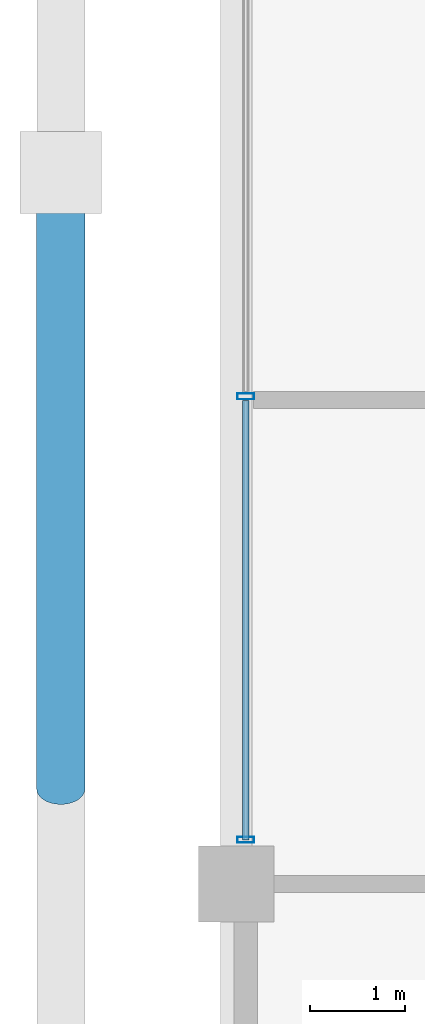
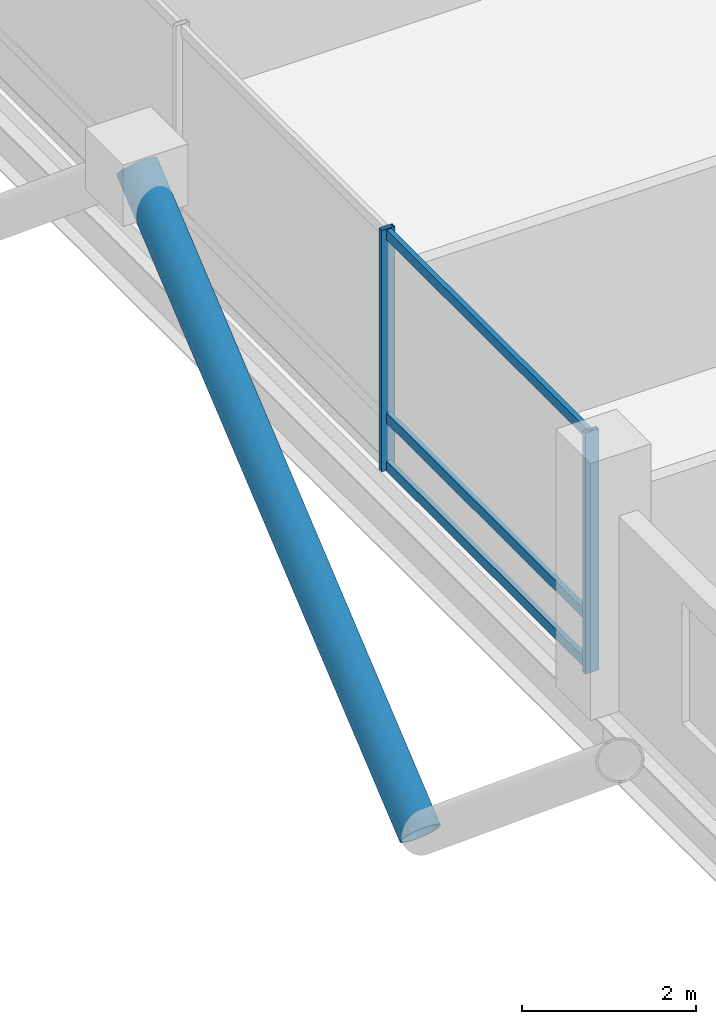
# One storey, part 4 of 22: 6 members, 1 element without a shape of its own.
"""IFC4 building model written with IfcOpenShell, lengths in metres."""

from ifc_helpers import new_model, si_unit, direction, frame, origin, origin_2d, place, context, subcontext, project, spatial, hollow_rectangle, hollow_circle, extrude, material, layer, layer_set, material_profile, profile_set, type_object, element, aggregate, save


model = new_model("IFC4")

# Units and contexts
model_context = context("Model", 3, precision=1e-05, world=origin(), true_north=direction((0.0, 1.0)))
body_context = subcontext(model_context, "Body", "Model", "MODEL_VIEW")
ifc_project = project(units=[si_unit("LENGTHUNIT", "METRE"), si_unit("AREAUNIT", "SQUARE_METRE"), si_unit("VOLUMEUNIT", "CUBIC_METRE"), si_unit("PLANEANGLEUNIT", "RADIAN"), si_unit("MASSUNIT", "GRAM", prefix="KILO")], contexts=[model_context])

# Site, building, storey
site_placement = place(None, origin())
site = spatial("IfcSite", under=ifc_project, at=site_placement, CompositionType="ELEMENT")
building_placement = place(site_placement, origin())
building = spatial("IfcBuilding", under=site, at=building_placement, Name="Barlavira Tower and Art Museum", CompositionType="ELEMENT")
storey_placement = place(building_placement, frame((0.0, 0.0, 106.199951171875)))
storey = spatial("IfcBuildingStorey", under=building, at=storey_placement, Name="L26", CompositionType="ELEMENT", Elevation=106.199951171875)

# Curtain wall, members
ifc_material_1 = material(Name="Low-iron coastal laminated glass", Category="glass")
ifc_layer = layer(ifc_material_1, 0.18994140625, Name="Low-iron coastal laminated glass")
ifc_layer_set = layer_set([ifc_layer], Name="Low-iron coastal laminated glass")
curtain_wall_type = type_object("IfcCurtainWallType", Name="Pale-Metal Unitised Curtain Wall Zone 2", PredefinedType="NOTDEFINED", material=ifc_layer_set)
curtain_wall_placement = place(storey_placement, origin())
curtain_wall = element("IfcCurtainWall", 1, at=curtain_wall_placement, inside=storey, type_object=curtain_wall_type, Name="L26 Curtain Wall CW2-L26-W-B3", PredefinedType="NOTDEFINED")
ifc_material_2 = material(Name="Pale anodised aluminium", Category="aluminium")
ifc_material_profile_1 = material_profile(ifc_material_2, hollow_rectangle(XDim=0.06494140625, YDim=0.179931640625, WallThickness=0.00390625, at=origin_2d()), Name="ALU-MULL 65x180x4")
ifc_profile_set_1 = profile_set([ifc_material_profile_1], Name="Pale anodised aluminium")
member_type_1 = type_object("IfcMemberType", Name="Curtain Wall Pale-Metal Mullion 65x180", PredefinedType="MULLION", material=ifc_profile_set_1)
member_1_placement = place(storey_placement, frame((-20.14990234375, -2.360107421875, 0.0), z_axis=(0.0, 0.0, 1.0), x_axis=(0.0, -1.0, 0.0)))
member_1 = element("IfcMember", 2, at=member_1_placement, type_object=member_type_1, Name="CW2-L26-W-B3 Mullion 2", PredefinedType="MULLION", context=body_context, shape_type="SweptSolid", body=[
    extrude(hollow_rectangle(XDim=0.06494140625, YDim=0.179931640625, WallThickness=0.00390625, at=origin_2d()), origin(), (0.0, 0.0, 1.0), 3.380126953125),
])
member_2_placement = place(storey_placement, frame((-20.14990234375, -7.034912109375, 0.0), z_axis=(0.0, 0.0, 1.0), x_axis=(0.0, -1.0, 0.0)))
member_2 = element("IfcMember", 3, at=member_2_placement, type_object=member_type_1, Name="CW2-L26-W-B3 Mullion 3", PredefinedType="MULLION", context=body_context, shape_type="SweptSolid", body=[
    extrude(hollow_rectangle(XDim=0.06494140625, YDim=0.179931640625, WallThickness=0.00390625, at=origin_2d()), origin(), (0.0, 0.0, 1.0), 3.380126953125),
])
ifc_material_profile_2 = material_profile(ifc_material_2, hollow_rectangle(XDim=0.06494140625, YDim=0.139892578125, WallThickness=0.00390625, at=origin_2d()), Name="ALU-TRAN 65x140x4")
ifc_profile_set_2 = profile_set([ifc_material_profile_2], Name="Pale anodised aluminium")
member_type_2 = type_object("IfcMemberType", Name="Curtain Wall Pale-Metal Transom 65x140", PredefinedType="USERDEFINED", material=ifc_profile_set_2)
member_3_placement = place(storey_placement, frame((-20.14990234375, -2.405029296875, 0.070068359375), z_axis=(0.0, -1.0, 0.0), x_axis=(1.0, 0.0, 0.0)))
member_3 = element("IfcMember", 4, at=member_3_placement, type_object=member_type_2, Name="CW2-L26-W-B3 Transom 2.1", ObjectType="TRANSOM", PredefinedType="USERDEFINED", context=body_context, shape_type="SweptSolid", body=[
    extrude(hollow_rectangle(XDim=0.06494140625, YDim=0.139892578125, WallThickness=0.00390625, at=origin_2d()), origin(), (0.0, 0.0, 1.0), 4.6298828125),
])
member_4_placement = place(storey_placement, frame((-20.14990234375, -2.405029296875, 0.744140625), z_axis=(0.0, -1.0, 0.0), x_axis=(1.0, 0.0, 0.0)))
member_4 = element("IfcMember", 5, at=member_4_placement, type_object=member_type_2, Name="CW2-L26-W-B3 Transom 2.2", ObjectType="TRANSOM", PredefinedType="USERDEFINED", context=body_context, shape_type="SweptSolid", body=[
    extrude(hollow_rectangle(XDim=0.06494140625, YDim=0.139892578125, WallThickness=0.00390625, at=origin_2d()), origin(), (0.0, 0.0, 1.0), 4.6298828125),
])
member_5_placement = place(storey_placement, frame((-20.14990234375, -2.405029296875, 3.31005859375), z_axis=(0.0, -1.0, 0.0), x_axis=(1.0, 0.0, 0.0)))
member_5 = element("IfcMember", 6, at=member_5_placement, type_object=member_type_2, Name="CW2-L26-W-B3 Transom 2.3", ObjectType="TRANSOM", PredefinedType="USERDEFINED", context=body_context, shape_type="SweptSolid", body=[
    extrude(hollow_rectangle(XDim=0.06494140625, YDim=0.139892578125, WallThickness=0.00390625, at=origin_2d()), origin(), (0.0, 0.0, 1.0), 4.6298828125),
])
aggregate(curtain_wall, [member_1, member_2, member_3, member_4, member_5])

# Member
ifc_material_3 = material(Name="Steel S355", Category="steel")
ifc_material_profile_3 = material_profile(ifc_material_3, hollow_circle(Radius=0.25390625, WallThickness=0.022216796875, at=origin_2d()), Name="CHS 508.0x22.2")
ifc_profile_set_3 = profile_set([ifc_material_profile_3], Name="Steel S355")
member_type_3 = type_object("IfcMemberType", Name="Pale-Metal Exoskeleton Diagrid Tube CHS 508x22 Steel S355", PredefinedType="BRACE", material=ifc_profile_set_3)
member_6_placement = place(storey_placement, frame((-22.10009765625, -6.5, -1.919921875), z_axis=(0.0, 0.769196053329, 0.639012857104), x_axis=(-1.0, 0.0, 0.0)))
element("IfcMember", 7, at=member_6_placement, inside=storey, type_object=member_type_3, Name="L26 Exoskeleton Diagrid Tube W", PredefinedType="BRACE", context=body_context, shape_type="SweptSolid", body=[
    extrude(hollow_circle(Radius=0.25390625, WallThickness=0.022216796875, at=origin_2d()), origin(), (0.0, 0.0, 1.0), 8.450439453125),
])

save(model, "model.ifc")
